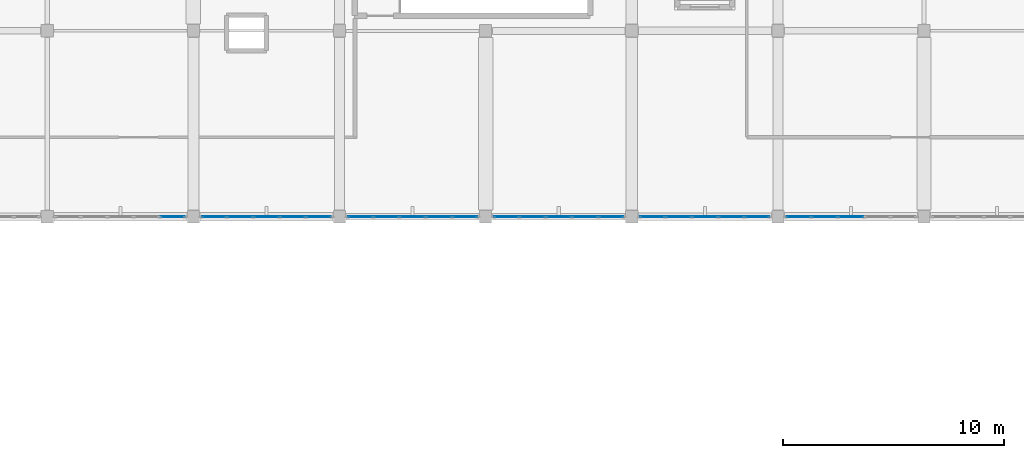
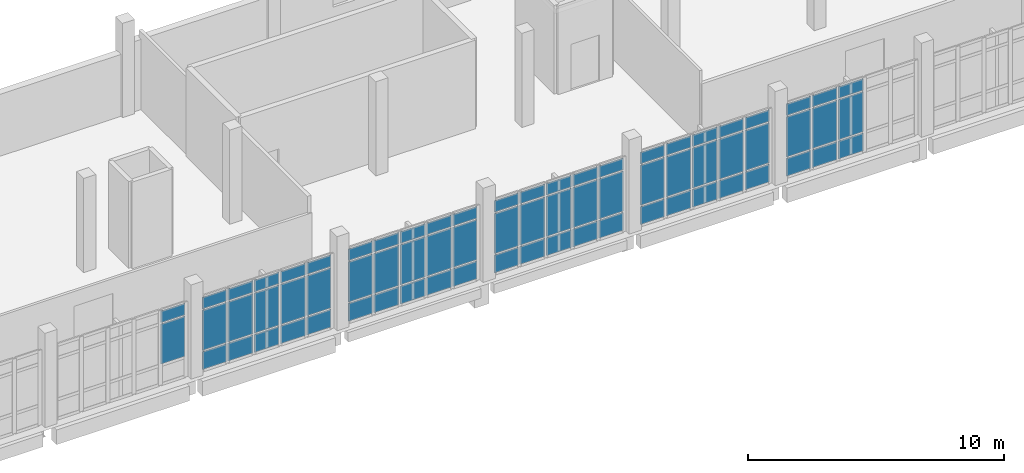
# One storey, part 108 of 134: 71 plates, 6 elements without a shape of their own.
"""IFC4 building model written with IfcOpenShell, lengths in metres."""

from ifc_helpers import new_model, si_unit, direction, frame, origin, origin_2d, place, context, subcontext, project, spatial, rectangle, extrude, material, layer, layer_set, type_object, element, aggregate, save


model = new_model("IFC4")

# Units and contexts
model_context = context("Model", 3, precision=1e-05, world=origin(), true_north=direction((0.0, 1.0)))
body_context = subcontext(model_context, "Body", "Model", "MODEL_VIEW")
ifc_project = project(units=[si_unit("LENGTHUNIT", "METRE"), si_unit("AREAUNIT", "SQUARE_METRE"), si_unit("VOLUMEUNIT", "CUBIC_METRE"), si_unit("PLANEANGLEUNIT", "RADIAN"), si_unit("MASSUNIT", "GRAM", prefix="KILO")], contexts=[model_context])

# Site, building, storey
site_placement = place(None, origin())
site = spatial("IfcSite", under=ifc_project, at=site_placement, CompositionType="ELEMENT")
building_placement = place(site_placement, origin())
building = spatial("IfcBuilding", under=site, at=building_placement, Name="Kalluvel Institute of Natural Sciences", CompositionType="ELEMENT")
storey_placement = place(building_placement, frame((0.0, 0.0, 5.39990234375)))
storey = spatial("IfcBuildingStorey", under=building, at=storey_placement, Name="L01", CompositionType="ELEMENT", Elevation=5.39990234375)

# Curtain wall, plates
ifc_material_1 = material(Name="Aluminium AW-6063 T6", Category="aluminium")
curtain_wall_type = type_object("IfcCurtainWallType", Name="CW-CLN-45", PredefinedType="USERDEFINED", material=ifc_material_1)
curtain_wall_1_placement = place(storey_placement, origin())
curtain_wall_1 = element("IfcCurtainWall", 1, at=curtain_wall_1_placement, inside=storey, type_object=curtain_wall_type, Name="L01 Gothic lancet curtain wall CWA-L01-X1361-Y1028", ObjectType="UNITISED LANCET FACADE", PredefinedType="USERDEFINED")
ifc_material_2 = material(Name="Solar-Control Low-E Laminated Glass", Category="glass")
ifc_layer = layer(ifc_material_2, 0.028076171875)
ifc_layer_set = layer_set([ifc_layer], Name="Solar-Control Low-E Laminated Glass")
plate_type = type_object("IfcPlateType", Name="CWP-DGU-28", PredefinedType="CURTAIN_PANEL", material=ifc_layer_set)
plate_1_placement = place(storey_placement, frame((141.4638671875, 102.800048828125, 0.982666015625), z_axis=(0.0, 0.0, 1.0), x_axis=(1.0, 0.0, 0.0)))
plate_1 = element("IfcPlate", 2, at=plate_1_placement, type_object=plate_type, Name="CW-08 panel 5.2", PredefinedType="CURTAIN_PANEL", context=body_context, shape_type="SweptSolid", body=[
    extrude(rectangle(XDim=1.092529296875, YDim=0.028076171875, at=origin_2d()), origin(), (0.0, 0.0, 1.0), 1.9150390625),
])
plate_2_placement = place(storey_placement, frame((141.4638671875, 102.800048828125, 2.96240234375), z_axis=(0.0, 0.0, 1.0), x_axis=(1.0, 0.0, 0.0)))
plate_2 = element("IfcPlate", 3, at=plate_2_placement, type_object=plate_type, Name="CW-08 panel 5.3", PredefinedType="CURTAIN_PANEL", context=body_context, shape_type="SweptSolid", body=[
    extrude(rectangle(XDim=1.092529296875, YDim=0.028076171875, at=origin_2d()), origin(), (0.0, 0.0, 1.0), 0.552490234375),
])
aggregate(curtain_wall_1, [plate_1, plate_2])

curtain_wall_2_placement = place(storey_placement, origin())
curtain_wall_2 = element("IfcCurtainWall", 4, at=curtain_wall_2_placement, inside=storey, type_object=curtain_wall_type, Name="L01 Gothic lancet curtain wall CWA-L01-X1427-Y1028", ObjectType="UNITISED LANCET FACADE", PredefinedType="USERDEFINED")
plate_3_placement = place(storey_placement, frame((143.336181640625, 102.800048828125, 0.065185546875), z_axis=(0.0, 0.0, 1.0), x_axis=(1.0, 0.0, 0.0)))
plate_3 = element("IfcPlate", 5, at=plate_3_placement, type_object=plate_type, Name="CW-08 panel 1.1", PredefinedType="CURTAIN_PANEL", context=body_context, shape_type="SweptSolid", body=[
    extrude(rectangle(XDim=1.092529296875, YDim=0.028076171875, at=origin_2d()), origin(), (0.0, 0.0, 1.0), 0.8525390625),
])
plate_4_placement = place(storey_placement, frame((143.336181640625, 102.800048828125, 0.982666015625), z_axis=(0.0, 0.0, 1.0), x_axis=(1.0, 0.0, 0.0)))
plate_4 = element("IfcPlate", 6, at=plate_4_placement, type_object=plate_type, Name="CW-08 panel 1.2", PredefinedType="CURTAIN_PANEL", context=body_context, shape_type="SweptSolid", body=[
    extrude(rectangle(XDim=1.092529296875, YDim=0.028076171875, at=origin_2d()), origin(), (0.0, 0.0, 1.0), 1.9150390625),
])
plate_5_placement = place(storey_placement, frame((143.336181640625, 102.800048828125, 2.96240234375), z_axis=(0.0, 0.0, 1.0), x_axis=(1.0, 0.0, 0.0)))
plate_5 = element("IfcPlate", 7, at=plate_5_placement, type_object=plate_type, Name="CW-08 panel 1.3", PredefinedType="CURTAIN_PANEL", context=body_context, shape_type="SweptSolid", body=[
    extrude(rectangle(XDim=1.092529296875, YDim=0.028076171875, at=origin_2d()), origin(), (0.0, 0.0, 1.0), 0.552490234375),
])
plate_6_placement = place(storey_placement, frame((144.510009765625, 102.800048828125, 0.065185546875), z_axis=(0.0, 0.0, 1.0), x_axis=(1.0, 0.0, 0.0)))
plate_6 = element("IfcPlate", 8, at=plate_6_placement, type_object=plate_type, Name="CW-08 panel 2.1", PredefinedType="CURTAIN_PANEL", context=body_context, shape_type="SweptSolid", body=[
    extrude(rectangle(XDim=1.125, YDim=0.028076171875, at=origin_2d()), origin(), (0.0, 0.0, 1.0), 0.8525390625),
])
plate_7_placement = place(storey_placement, frame((144.510009765625, 102.800048828125, 0.982666015625), z_axis=(0.0, 0.0, 1.0), x_axis=(1.0, 0.0, 0.0)))
plate_7 = element("IfcPlate", 9, at=plate_7_placement, type_object=plate_type, Name="CW-08 panel 2.2", PredefinedType="CURTAIN_PANEL", context=body_context, shape_type="SweptSolid", body=[
    extrude(rectangle(XDim=1.125, YDim=0.028076171875, at=origin_2d()), origin(), (0.0, 0.0, 1.0), 1.9150390625),
])
plate_8_placement = place(storey_placement, frame((144.510009765625, 102.800048828125, 2.96240234375), z_axis=(0.0, 0.0, 1.0), x_axis=(1.0, 0.0, 0.0)))
plate_8 = element("IfcPlate", 10, at=plate_8_placement, type_object=plate_type, Name="CW-08 panel 2.3", PredefinedType="CURTAIN_PANEL", context=body_context, shape_type="SweptSolid", body=[
    extrude(rectangle(XDim=1.125, YDim=0.028076171875, at=origin_2d()), origin(), (0.0, 0.0, 1.0), 0.552490234375),
])
plate_9_placement = place(storey_placement, frame((145.699951171875, 102.800048828125, 0.065185546875), z_axis=(0.0, 0.0, 1.0), x_axis=(1.0, 0.0, 0.0)))
plate_9 = element("IfcPlate", 11, at=plate_9_placement, type_object=plate_type, Name="CW-08 panel 3.1", PredefinedType="CURTAIN_PANEL", context=body_context, shape_type="SweptSolid", body=[
    extrude(rectangle(XDim=1.125, YDim=0.028076171875, at=origin_2d()), origin(), (0.0, 0.0, 1.0), 0.8525390625),
])
plate_10_placement = place(storey_placement, frame((145.699951171875, 102.800048828125, 0.982666015625), z_axis=(0.0, 0.0, 1.0), x_axis=(1.0, 0.0, 0.0)))
plate_10 = element("IfcPlate", 12, at=plate_10_placement, type_object=plate_type, Name="CW-08 panel 3.2", PredefinedType="CURTAIN_PANEL", context=body_context, shape_type="SweptSolid", body=[
    extrude(rectangle(XDim=1.125, YDim=0.028076171875, at=origin_2d()), origin(), (0.0, 0.0, 1.0), 1.9150390625),
])
plate_11_placement = place(storey_placement, frame((145.699951171875, 102.800048828125, 2.96240234375), z_axis=(0.0, 0.0, 1.0), x_axis=(1.0, 0.0, 0.0)))
plate_11 = element("IfcPlate", 13, at=plate_11_placement, type_object=plate_type, Name="CW-08 panel 3.3", PredefinedType="CURTAIN_PANEL", context=body_context, shape_type="SweptSolid", body=[
    extrude(rectangle(XDim=1.125, YDim=0.028076171875, at=origin_2d()), origin(), (0.0, 0.0, 1.0), 0.552490234375),
])
plate_12_placement = place(storey_placement, frame((146.889892578125, 102.800048828125, 0.065185546875), z_axis=(0.0, 0.0, 1.0), x_axis=(1.0, 0.0, 0.0)))
plate_12 = element("IfcPlate", 14, at=plate_12_placement, type_object=plate_type, Name="CW-08 panel 4.1", PredefinedType="CURTAIN_PANEL", context=body_context, shape_type="SweptSolid", body=[
    extrude(rectangle(XDim=1.125, YDim=0.028076171875, at=origin_2d()), origin(), (0.0, 0.0, 1.0), 0.8525390625),
])
plate_13_placement = place(storey_placement, frame((146.889892578125, 102.800048828125, 0.982666015625), z_axis=(0.0, 0.0, 1.0), x_axis=(1.0, 0.0, 0.0)))
plate_13 = element("IfcPlate", 15, at=plate_13_placement, type_object=plate_type, Name="CW-08 panel 4.2", PredefinedType="CURTAIN_PANEL", context=body_context, shape_type="SweptSolid", body=[
    extrude(rectangle(XDim=1.125, YDim=0.028076171875, at=origin_2d()), origin(), (0.0, 0.0, 1.0), 1.9150390625),
])
plate_14_placement = place(storey_placement, frame((146.889892578125, 102.800048828125, 2.96240234375), z_axis=(0.0, 0.0, 1.0), x_axis=(1.0, 0.0, 0.0)))
plate_14 = element("IfcPlate", 16, at=plate_14_placement, type_object=plate_type, Name="CW-08 panel 4.3", PredefinedType="CURTAIN_PANEL", context=body_context, shape_type="SweptSolid", body=[
    extrude(rectangle(XDim=1.125, YDim=0.028076171875, at=origin_2d()), origin(), (0.0, 0.0, 1.0), 0.552490234375),
])
plate_15_placement = place(storey_placement, frame((148.063720703125, 102.800048828125, 0.065185546875), z_axis=(0.0, 0.0, 1.0), x_axis=(1.0, 0.0, 0.0)))
plate_15 = element("IfcPlate", 17, at=plate_15_placement, type_object=plate_type, Name="CW-08 panel 5.1", PredefinedType="CURTAIN_PANEL", context=body_context, shape_type="SweptSolid", body=[
    extrude(rectangle(XDim=1.092529296875, YDim=0.028076171875, at=origin_2d()), origin(), (0.0, 0.0, 1.0), 0.8525390625),
])
plate_16_placement = place(storey_placement, frame((148.063720703125, 102.800048828125, 0.982666015625), z_axis=(0.0, 0.0, 1.0), x_axis=(1.0, 0.0, 0.0)))
plate_16 = element("IfcPlate", 18, at=plate_16_placement, type_object=plate_type, Name="CW-08 panel 5.2", PredefinedType="CURTAIN_PANEL", context=body_context, shape_type="SweptSolid", body=[
    extrude(rectangle(XDim=1.092529296875, YDim=0.028076171875, at=origin_2d()), origin(), (0.0, 0.0, 1.0), 1.9150390625),
])
plate_17_placement = place(storey_placement, frame((148.063720703125, 102.800048828125, 2.96240234375), z_axis=(0.0, 0.0, 1.0), x_axis=(1.0, 0.0, 0.0)))
plate_17 = element("IfcPlate", 19, at=plate_17_placement, type_object=plate_type, Name="CW-08 panel 5.3", PredefinedType="CURTAIN_PANEL", context=body_context, shape_type="SweptSolid", body=[
    extrude(rectangle(XDim=1.092529296875, YDim=0.028076171875, at=origin_2d()), origin(), (0.0, 0.0, 1.0), 0.552490234375),
])
aggregate(curtain_wall_2, [plate_3, plate_4, plate_5, plate_6, plate_7, plate_8, plate_9, plate_10, plate_11, plate_12, plate_13, plate_14, plate_15, plate_16, plate_17])

curtain_wall_3_placement = place(storey_placement, origin())
curtain_wall_3 = element("IfcCurtainWall", 20, at=curtain_wall_3_placement, inside=storey, type_object=curtain_wall_type, Name="L01 Gothic lancet curtain wall CWA-L01-X1493-Y1028", ObjectType="UNITISED LANCET FACADE", PredefinedType="USERDEFINED")
plate_18_placement = place(storey_placement, frame((149.936279296875, 102.800048828125, 0.065185546875), z_axis=(0.0, 0.0, 1.0), x_axis=(1.0, 0.0, 0.0)))
plate_18 = element("IfcPlate", 21, at=plate_18_placement, type_object=plate_type, Name="CW-08 panel 1.1", PredefinedType="CURTAIN_PANEL", context=body_context, shape_type="SweptSolid", body=[
    extrude(rectangle(XDim=1.092529296875, YDim=0.028076171875, at=origin_2d()), origin(), (0.0, 0.0, 1.0), 0.8525390625),
])
plate_19_placement = place(storey_placement, frame((149.936279296875, 102.800048828125, 0.982666015625), z_axis=(0.0, 0.0, 1.0), x_axis=(1.0, 0.0, 0.0)))
plate_19 = element("IfcPlate", 22, at=plate_19_placement, type_object=plate_type, Name="CW-08 panel 1.2", PredefinedType="CURTAIN_PANEL", context=body_context, shape_type="SweptSolid", body=[
    extrude(rectangle(XDim=1.092529296875, YDim=0.028076171875, at=origin_2d()), origin(), (0.0, 0.0, 1.0), 1.9150390625),
])
plate_20_placement = place(storey_placement, frame((149.936279296875, 102.800048828125, 2.96240234375), z_axis=(0.0, 0.0, 1.0), x_axis=(1.0, 0.0, 0.0)))
plate_20 = element("IfcPlate", 23, at=plate_20_placement, type_object=plate_type, Name="CW-08 panel 1.3", PredefinedType="CURTAIN_PANEL", context=body_context, shape_type="SweptSolid", body=[
    extrude(rectangle(XDim=1.092529296875, YDim=0.028076171875, at=origin_2d()), origin(), (0.0, 0.0, 1.0), 0.552490234375),
])
plate_21_placement = place(storey_placement, frame((151.110107421875, 102.800048828125, 0.065185546875), z_axis=(0.0, 0.0, 1.0), x_axis=(1.0, 0.0, 0.0)))
plate_21 = element("IfcPlate", 24, at=plate_21_placement, type_object=plate_type, Name="CW-08 panel 2.1", PredefinedType="CURTAIN_PANEL", context=body_context, shape_type="SweptSolid", body=[
    extrude(rectangle(XDim=1.125, YDim=0.028076171875, at=origin_2d()), origin(), (0.0, 0.0, 1.0), 0.8525390625),
])
plate_22_placement = place(storey_placement, frame((151.110107421875, 102.800048828125, 0.982666015625), z_axis=(0.0, 0.0, 1.0), x_axis=(1.0, 0.0, 0.0)))
plate_22 = element("IfcPlate", 25, at=plate_22_placement, type_object=plate_type, Name="CW-08 panel 2.2", PredefinedType="CURTAIN_PANEL", context=body_context, shape_type="SweptSolid", body=[
    extrude(rectangle(XDim=1.125, YDim=0.028076171875, at=origin_2d()), origin(), (0.0, 0.0, 1.0), 1.9150390625),
])
plate_23_placement = place(storey_placement, frame((151.110107421875, 102.800048828125, 2.96240234375), z_axis=(0.0, 0.0, 1.0), x_axis=(1.0, 0.0, 0.0)))
plate_23 = element("IfcPlate", 26, at=plate_23_placement, type_object=plate_type, Name="CW-08 panel 2.3", PredefinedType="CURTAIN_PANEL", context=body_context, shape_type="SweptSolid", body=[
    extrude(rectangle(XDim=1.125, YDim=0.028076171875, at=origin_2d()), origin(), (0.0, 0.0, 1.0), 0.552490234375),
])
plate_24_placement = place(storey_placement, frame((152.300048828125, 102.800048828125, 0.065185546875), z_axis=(0.0, 0.0, 1.0), x_axis=(1.0, 0.0, 0.0)))
plate_24 = element("IfcPlate", 27, at=plate_24_placement, type_object=plate_type, Name="CW-08 panel 3.1", PredefinedType="CURTAIN_PANEL", context=body_context, shape_type="SweptSolid", body=[
    extrude(rectangle(XDim=1.125, YDim=0.028076171875, at=origin_2d()), origin(), (0.0, 0.0, 1.0), 0.8525390625),
])
plate_25_placement = place(storey_placement, frame((152.300048828125, 102.800048828125, 0.982666015625), z_axis=(0.0, 0.0, 1.0), x_axis=(1.0, 0.0, 0.0)))
plate_25 = element("IfcPlate", 28, at=plate_25_placement, type_object=plate_type, Name="CW-08 panel 3.2", PredefinedType="CURTAIN_PANEL", context=body_context, shape_type="SweptSolid", body=[
    extrude(rectangle(XDim=1.125, YDim=0.028076171875, at=origin_2d()), origin(), (0.0, 0.0, 1.0), 1.9150390625),
])
plate_26_placement = place(storey_placement, frame((152.300048828125, 102.800048828125, 2.96240234375), z_axis=(0.0, 0.0, 1.0), x_axis=(1.0, 0.0, 0.0)))
plate_26 = element("IfcPlate", 29, at=plate_26_placement, type_object=plate_type, Name="CW-08 panel 3.3", PredefinedType="CURTAIN_PANEL", context=body_context, shape_type="SweptSolid", body=[
    extrude(rectangle(XDim=1.125, YDim=0.028076171875, at=origin_2d()), origin(), (0.0, 0.0, 1.0), 0.552490234375),
])
plate_27_placement = place(storey_placement, frame((153.489990234375, 102.800048828125, 0.065185546875), z_axis=(0.0, 0.0, 1.0), x_axis=(1.0, 0.0, 0.0)))
plate_27 = element("IfcPlate", 30, at=plate_27_placement, type_object=plate_type, Name="CW-08 panel 4.1", PredefinedType="CURTAIN_PANEL", context=body_context, shape_type="SweptSolid", body=[
    extrude(rectangle(XDim=1.125, YDim=0.028076171875, at=origin_2d()), origin(), (0.0, 0.0, 1.0), 0.8525390625),
])
plate_28_placement = place(storey_placement, frame((153.489990234375, 102.800048828125, 0.982666015625), z_axis=(0.0, 0.0, 1.0), x_axis=(1.0, 0.0, 0.0)))
plate_28 = element("IfcPlate", 31, at=plate_28_placement, type_object=plate_type, Name="CW-08 panel 4.2", PredefinedType="CURTAIN_PANEL", context=body_context, shape_type="SweptSolid", body=[
    extrude(rectangle(XDim=1.125, YDim=0.028076171875, at=origin_2d()), origin(), (0.0, 0.0, 1.0), 1.9150390625),
])
plate_29_placement = place(storey_placement, frame((153.489990234375, 102.800048828125, 2.96240234375), z_axis=(0.0, 0.0, 1.0), x_axis=(1.0, 0.0, 0.0)))
plate_29 = element("IfcPlate", 32, at=plate_29_placement, type_object=plate_type, Name="CW-08 panel 4.3", PredefinedType="CURTAIN_PANEL", context=body_context, shape_type="SweptSolid", body=[
    extrude(rectangle(XDim=1.125, YDim=0.028076171875, at=origin_2d()), origin(), (0.0, 0.0, 1.0), 0.552490234375),
])
plate_30_placement = place(storey_placement, frame((154.663818359375, 102.800048828125, 0.065185546875), z_axis=(0.0, 0.0, 1.0), x_axis=(1.0, 0.0, 0.0)))
plate_30 = element("IfcPlate", 33, at=plate_30_placement, type_object=plate_type, Name="CW-08 panel 5.1", PredefinedType="CURTAIN_PANEL", context=body_context, shape_type="SweptSolid", body=[
    extrude(rectangle(XDim=1.092529296875, YDim=0.028076171875, at=origin_2d()), origin(), (0.0, 0.0, 1.0), 0.8525390625),
])
plate_31_placement = place(storey_placement, frame((154.663818359375, 102.800048828125, 0.982666015625), z_axis=(0.0, 0.0, 1.0), x_axis=(1.0, 0.0, 0.0)))
plate_31 = element("IfcPlate", 34, at=plate_31_placement, type_object=plate_type, Name="CW-08 panel 5.2", PredefinedType="CURTAIN_PANEL", context=body_context, shape_type="SweptSolid", body=[
    extrude(rectangle(XDim=1.092529296875, YDim=0.028076171875, at=origin_2d()), origin(), (0.0, 0.0, 1.0), 1.9150390625),
])
plate_32_placement = place(storey_placement, frame((154.663818359375, 102.800048828125, 2.96240234375), z_axis=(0.0, 0.0, 1.0), x_axis=(1.0, 0.0, 0.0)))
plate_32 = element("IfcPlate", 35, at=plate_32_placement, type_object=plate_type, Name="CW-08 panel 5.3", PredefinedType="CURTAIN_PANEL", context=body_context, shape_type="SweptSolid", body=[
    extrude(rectangle(XDim=1.092529296875, YDim=0.028076171875, at=origin_2d()), origin(), (0.0, 0.0, 1.0), 0.552490234375),
])
aggregate(curtain_wall_3, [plate_18, plate_19, plate_20, plate_21, plate_22, plate_23, plate_24, plate_25, plate_26, plate_27, plate_28, plate_29, plate_30, plate_31, plate_32])

curtain_wall_4_placement = place(storey_placement, origin())
curtain_wall_4 = element("IfcCurtainWall", 36, at=curtain_wall_4_placement, inside=storey, type_object=curtain_wall_type, Name="L01 Gothic lancet curtain wall CWA-L01-X1559-Y1028", ObjectType="UNITISED LANCET FACADE", PredefinedType="USERDEFINED")
plate_33_placement = place(storey_placement, frame((156.5361328125, 102.800048828125, 0.065185546875), z_axis=(0.0, 0.0, 1.0), x_axis=(1.0, 0.0, 0.0)))
plate_33 = element("IfcPlate", 37, at=plate_33_placement, type_object=plate_type, Name="CW-08 panel 1.1", PredefinedType="CURTAIN_PANEL", context=body_context, shape_type="SweptSolid", body=[
    extrude(rectangle(XDim=1.092529296875, YDim=0.028076171875, at=origin_2d()), origin(), (0.0, 0.0, 1.0), 0.8525390625),
])
plate_34_placement = place(storey_placement, frame((156.5361328125, 102.800048828125, 0.982666015625), z_axis=(0.0, 0.0, 1.0), x_axis=(1.0, 0.0, 0.0)))
plate_34 = element("IfcPlate", 38, at=plate_34_placement, type_object=plate_type, Name="CW-08 panel 1.2", PredefinedType="CURTAIN_PANEL", context=body_context, shape_type="SweptSolid", body=[
    extrude(rectangle(XDim=1.092529296875, YDim=0.028076171875, at=origin_2d()), origin(), (0.0, 0.0, 1.0), 1.9150390625),
])
plate_35_placement = place(storey_placement, frame((156.5361328125, 102.800048828125, 2.96240234375), z_axis=(0.0, 0.0, 1.0), x_axis=(1.0, 0.0, 0.0)))
plate_35 = element("IfcPlate", 39, at=plate_35_placement, type_object=plate_type, Name="CW-08 panel 1.3", PredefinedType="CURTAIN_PANEL", context=body_context, shape_type="SweptSolid", body=[
    extrude(rectangle(XDim=1.092529296875, YDim=0.028076171875, at=origin_2d()), origin(), (0.0, 0.0, 1.0), 0.552490234375),
])
plate_36_placement = place(storey_placement, frame((157.7099609375, 102.800048828125, 0.065185546875), z_axis=(0.0, 0.0, 1.0), x_axis=(1.0, 0.0, 0.0)))
plate_36 = element("IfcPlate", 40, at=plate_36_placement, type_object=plate_type, Name="CW-08 panel 2.1", PredefinedType="CURTAIN_PANEL", context=body_context, shape_type="SweptSolid", body=[
    extrude(rectangle(XDim=1.125, YDim=0.028076171875, at=origin_2d()), origin(), (0.0, 0.0, 1.0), 0.8525390625),
])
plate_37_placement = place(storey_placement, frame((157.7099609375, 102.800048828125, 0.982666015625), z_axis=(0.0, 0.0, 1.0), x_axis=(1.0, 0.0, 0.0)))
plate_37 = element("IfcPlate", 41, at=plate_37_placement, type_object=plate_type, Name="CW-08 panel 2.2", PredefinedType="CURTAIN_PANEL", context=body_context, shape_type="SweptSolid", body=[
    extrude(rectangle(XDim=1.125, YDim=0.028076171875, at=origin_2d()), origin(), (0.0, 0.0, 1.0), 1.9150390625),
])
plate_38_placement = place(storey_placement, frame((157.7099609375, 102.800048828125, 2.96240234375), z_axis=(0.0, 0.0, 1.0), x_axis=(1.0, 0.0, 0.0)))
plate_38 = element("IfcPlate", 42, at=plate_38_placement, type_object=plate_type, Name="CW-08 panel 2.3", PredefinedType="CURTAIN_PANEL", context=body_context, shape_type="SweptSolid", body=[
    extrude(rectangle(XDim=1.125, YDim=0.028076171875, at=origin_2d()), origin(), (0.0, 0.0, 1.0), 0.552490234375),
])
plate_39_placement = place(storey_placement, frame((158.89990234375, 102.800048828125, 0.065185546875), z_axis=(0.0, 0.0, 1.0), x_axis=(1.0, 0.0, 0.0)))
plate_39 = element("IfcPlate", 43, at=plate_39_placement, type_object=plate_type, Name="CW-08 panel 3.1", PredefinedType="CURTAIN_PANEL", context=body_context, shape_type="SweptSolid", body=[
    extrude(rectangle(XDim=1.125, YDim=0.028076171875, at=origin_2d()), origin(), (0.0, 0.0, 1.0), 0.8525390625),
])
plate_40_placement = place(storey_placement, frame((158.89990234375, 102.800048828125, 0.982666015625), z_axis=(0.0, 0.0, 1.0), x_axis=(1.0, 0.0, 0.0)))
plate_40 = element("IfcPlate", 44, at=plate_40_placement, type_object=plate_type, Name="CW-08 panel 3.2", PredefinedType="CURTAIN_PANEL", context=body_context, shape_type="SweptSolid", body=[
    extrude(rectangle(XDim=1.125, YDim=0.028076171875, at=origin_2d()), origin(), (0.0, 0.0, 1.0), 1.9150390625),
])
plate_41_placement = place(storey_placement, frame((158.89990234375, 102.800048828125, 2.96240234375), z_axis=(0.0, 0.0, 1.0), x_axis=(1.0, 0.0, 0.0)))
plate_41 = element("IfcPlate", 45, at=plate_41_placement, type_object=plate_type, Name="CW-08 panel 3.3", PredefinedType="CURTAIN_PANEL", context=body_context, shape_type="SweptSolid", body=[
    extrude(rectangle(XDim=1.125, YDim=0.028076171875, at=origin_2d()), origin(), (0.0, 0.0, 1.0), 0.552490234375),
])
plate_42_placement = place(storey_placement, frame((160.090087890625, 102.800048828125, 0.065185546875), z_axis=(0.0, 0.0, 1.0), x_axis=(1.0, 0.0, 0.0)))
plate_42 = element("IfcPlate", 46, at=plate_42_placement, type_object=plate_type, Name="CW-08 panel 4.1", PredefinedType="CURTAIN_PANEL", context=body_context, shape_type="SweptSolid", body=[
    extrude(rectangle(XDim=1.125, YDim=0.028076171875, at=origin_2d()), origin(), (0.0, 0.0, 1.0), 0.8525390625),
])
plate_43_placement = place(storey_placement, frame((160.090087890625, 102.800048828125, 0.982666015625), z_axis=(0.0, 0.0, 1.0), x_axis=(1.0, 0.0, 0.0)))
plate_43 = element("IfcPlate", 47, at=plate_43_placement, type_object=plate_type, Name="CW-08 panel 4.2", PredefinedType="CURTAIN_PANEL", context=body_context, shape_type="SweptSolid", body=[
    extrude(rectangle(XDim=1.125, YDim=0.028076171875, at=origin_2d()), origin(), (0.0, 0.0, 1.0), 1.9150390625),
])
plate_44_placement = place(storey_placement, frame((160.090087890625, 102.800048828125, 2.96240234375), z_axis=(0.0, 0.0, 1.0), x_axis=(1.0, 0.0, 0.0)))
plate_44 = element("IfcPlate", 48, at=plate_44_placement, type_object=plate_type, Name="CW-08 panel 4.3", PredefinedType="CURTAIN_PANEL", context=body_context, shape_type="SweptSolid", body=[
    extrude(rectangle(XDim=1.125, YDim=0.028076171875, at=origin_2d()), origin(), (0.0, 0.0, 1.0), 0.552490234375),
])
plate_45_placement = place(storey_placement, frame((161.263671875, 102.800048828125, 0.065185546875), z_axis=(0.0, 0.0, 1.0), x_axis=(1.0, 0.0, 0.0)))
plate_45 = element("IfcPlate", 49, at=plate_45_placement, type_object=plate_type, Name="CW-08 panel 5.1", PredefinedType="CURTAIN_PANEL", context=body_context, shape_type="SweptSolid", body=[
    extrude(rectangle(XDim=1.092529296875, YDim=0.028076171875, at=origin_2d()), origin(), (0.0, 0.0, 1.0), 0.8525390625),
])
plate_46_placement = place(storey_placement, frame((161.263671875, 102.800048828125, 0.982666015625), z_axis=(0.0, 0.0, 1.0), x_axis=(1.0, 0.0, 0.0)))
plate_46 = element("IfcPlate", 50, at=plate_46_placement, type_object=plate_type, Name="CW-08 panel 5.2", PredefinedType="CURTAIN_PANEL", context=body_context, shape_type="SweptSolid", body=[
    extrude(rectangle(XDim=1.092529296875, YDim=0.028076171875, at=origin_2d()), origin(), (0.0, 0.0, 1.0), 1.9150390625),
])
plate_47_placement = place(storey_placement, frame((161.263671875, 102.800048828125, 2.96240234375), z_axis=(0.0, 0.0, 1.0), x_axis=(1.0, 0.0, 0.0)))
plate_47 = element("IfcPlate", 51, at=plate_47_placement, type_object=plate_type, Name="CW-08 panel 5.3", PredefinedType="CURTAIN_PANEL", context=body_context, shape_type="SweptSolid", body=[
    extrude(rectangle(XDim=1.092529296875, YDim=0.028076171875, at=origin_2d()), origin(), (0.0, 0.0, 1.0), 0.552490234375),
])
aggregate(curtain_wall_4, [plate_33, plate_34, plate_35, plate_36, plate_37, plate_38, plate_39, plate_40, plate_41, plate_42, plate_43, plate_44, plate_45, plate_46, plate_47])

curtain_wall_5_placement = place(storey_placement, origin())
curtain_wall_5 = element("IfcCurtainWall", 52, at=curtain_wall_5_placement, inside=storey, type_object=curtain_wall_type, Name="L01 Gothic lancet curtain wall CWA-L01-X1625-Y1028", ObjectType="UNITISED LANCET FACADE", PredefinedType="USERDEFINED")
plate_48_placement = place(storey_placement, frame((163.13623046875, 102.800048828125, 0.065185546875), z_axis=(0.0, 0.0, 1.0), x_axis=(1.0, 0.0, 0.0)))
plate_48 = element("IfcPlate", 53, at=plate_48_placement, type_object=plate_type, Name="CW-08 panel 1.1", PredefinedType="CURTAIN_PANEL", context=body_context, shape_type="SweptSolid", body=[
    extrude(rectangle(XDim=1.092529296875, YDim=0.028076171875, at=origin_2d()), origin(), (0.0, 0.0, 1.0), 0.8525390625),
])
plate_49_placement = place(storey_placement, frame((163.13623046875, 102.800048828125, 0.982666015625), z_axis=(0.0, 0.0, 1.0), x_axis=(1.0, 0.0, 0.0)))
plate_49 = element("IfcPlate", 54, at=plate_49_placement, type_object=plate_type, Name="CW-08 panel 1.2", PredefinedType="CURTAIN_PANEL", context=body_context, shape_type="SweptSolid", body=[
    extrude(rectangle(XDim=1.092529296875, YDim=0.028076171875, at=origin_2d()), origin(), (0.0, 0.0, 1.0), 1.9150390625),
])
plate_50_placement = place(storey_placement, frame((163.13623046875, 102.800048828125, 2.96240234375), z_axis=(0.0, 0.0, 1.0), x_axis=(1.0, 0.0, 0.0)))
plate_50 = element("IfcPlate", 55, at=plate_50_placement, type_object=plate_type, Name="CW-08 panel 1.3", PredefinedType="CURTAIN_PANEL", context=body_context, shape_type="SweptSolid", body=[
    extrude(rectangle(XDim=1.092529296875, YDim=0.028076171875, at=origin_2d()), origin(), (0.0, 0.0, 1.0), 0.552490234375),
])
plate_51_placement = place(storey_placement, frame((164.31005859375, 102.800048828125, 0.065185546875), z_axis=(0.0, 0.0, 1.0), x_axis=(1.0, 0.0, 0.0)))
plate_51 = element("IfcPlate", 56, at=plate_51_placement, type_object=plate_type, Name="CW-08 panel 2.1", PredefinedType="CURTAIN_PANEL", context=body_context, shape_type="SweptSolid", body=[
    extrude(rectangle(XDim=1.125, YDim=0.028076171875, at=origin_2d()), origin(), (0.0, 0.0, 1.0), 0.8525390625),
])
plate_52_placement = place(storey_placement, frame((164.31005859375, 102.800048828125, 0.982666015625), z_axis=(0.0, 0.0, 1.0), x_axis=(1.0, 0.0, 0.0)))
plate_52 = element("IfcPlate", 57, at=plate_52_placement, type_object=plate_type, Name="CW-08 panel 2.2", PredefinedType="CURTAIN_PANEL", context=body_context, shape_type="SweptSolid", body=[
    extrude(rectangle(XDim=1.125, YDim=0.028076171875, at=origin_2d()), origin(), (0.0, 0.0, 1.0), 1.9150390625),
])
plate_53_placement = place(storey_placement, frame((164.31005859375, 102.800048828125, 2.96240234375), z_axis=(0.0, 0.0, 1.0), x_axis=(1.0, 0.0, 0.0)))
plate_53 = element("IfcPlate", 58, at=plate_53_placement, type_object=plate_type, Name="CW-08 panel 2.3", PredefinedType="CURTAIN_PANEL", context=body_context, shape_type="SweptSolid", body=[
    extrude(rectangle(XDim=1.125, YDim=0.028076171875, at=origin_2d()), origin(), (0.0, 0.0, 1.0), 0.552490234375),
])
plate_54_placement = place(storey_placement, frame((165.5, 102.800048828125, 0.065185546875), z_axis=(0.0, 0.0, 1.0), x_axis=(1.0, 0.0, 0.0)))
plate_54 = element("IfcPlate", 59, at=plate_54_placement, type_object=plate_type, Name="CW-08 panel 3.1", PredefinedType="CURTAIN_PANEL", context=body_context, shape_type="SweptSolid", body=[
    extrude(rectangle(XDim=1.125, YDim=0.028076171875, at=origin_2d()), origin(), (0.0, 0.0, 1.0), 0.8525390625),
])
plate_55_placement = place(storey_placement, frame((165.5, 102.800048828125, 0.982666015625), z_axis=(0.0, 0.0, 1.0), x_axis=(1.0, 0.0, 0.0)))
plate_55 = element("IfcPlate", 60, at=plate_55_placement, type_object=plate_type, Name="CW-08 panel 3.2", PredefinedType="CURTAIN_PANEL", context=body_context, shape_type="SweptSolid", body=[
    extrude(rectangle(XDim=1.125, YDim=0.028076171875, at=origin_2d()), origin(), (0.0, 0.0, 1.0), 1.9150390625),
])
plate_56_placement = place(storey_placement, frame((165.5, 102.800048828125, 2.96240234375), z_axis=(0.0, 0.0, 1.0), x_axis=(1.0, 0.0, 0.0)))
plate_56 = element("IfcPlate", 61, at=plate_56_placement, type_object=plate_type, Name="CW-08 panel 3.3", PredefinedType="CURTAIN_PANEL", context=body_context, shape_type="SweptSolid", body=[
    extrude(rectangle(XDim=1.125, YDim=0.028076171875, at=origin_2d()), origin(), (0.0, 0.0, 1.0), 0.552490234375),
])
plate_57_placement = place(storey_placement, frame((166.68994140625, 102.800048828125, 0.065185546875), z_axis=(0.0, 0.0, 1.0), x_axis=(1.0, 0.0, 0.0)))
plate_57 = element("IfcPlate", 62, at=plate_57_placement, type_object=plate_type, Name="CW-08 panel 4.1", PredefinedType="CURTAIN_PANEL", context=body_context, shape_type="SweptSolid", body=[
    extrude(rectangle(XDim=1.125, YDim=0.028076171875, at=origin_2d()), origin(), (0.0, 0.0, 1.0), 0.8525390625),
])
plate_58_placement = place(storey_placement, frame((166.68994140625, 102.800048828125, 0.982666015625), z_axis=(0.0, 0.0, 1.0), x_axis=(1.0, 0.0, 0.0)))
plate_58 = element("IfcPlate", 63, at=plate_58_placement, type_object=plate_type, Name="CW-08 panel 4.2", PredefinedType="CURTAIN_PANEL", context=body_context, shape_type="SweptSolid", body=[
    extrude(rectangle(XDim=1.125, YDim=0.028076171875, at=origin_2d()), origin(), (0.0, 0.0, 1.0), 1.9150390625),
])
plate_59_placement = place(storey_placement, frame((166.68994140625, 102.800048828125, 2.96240234375), z_axis=(0.0, 0.0, 1.0), x_axis=(1.0, 0.0, 0.0)))
plate_59 = element("IfcPlate", 64, at=plate_59_placement, type_object=plate_type, Name="CW-08 panel 4.3", PredefinedType="CURTAIN_PANEL", context=body_context, shape_type="SweptSolid", body=[
    extrude(rectangle(XDim=1.125, YDim=0.028076171875, at=origin_2d()), origin(), (0.0, 0.0, 1.0), 0.552490234375),
])
plate_60_placement = place(storey_placement, frame((167.86376953125, 102.800048828125, 0.065185546875), z_axis=(0.0, 0.0, 1.0), x_axis=(1.0, 0.0, 0.0)))
plate_60 = element("IfcPlate", 65, at=plate_60_placement, type_object=plate_type, Name="CW-08 panel 5.1", PredefinedType="CURTAIN_PANEL", context=body_context, shape_type="SweptSolid", body=[
    extrude(rectangle(XDim=1.092529296875, YDim=0.028076171875, at=origin_2d()), origin(), (0.0, 0.0, 1.0), 0.8525390625),
])
plate_61_placement = place(storey_placement, frame((167.86376953125, 102.800048828125, 0.982666015625), z_axis=(0.0, 0.0, 1.0), x_axis=(1.0, 0.0, 0.0)))
plate_61 = element("IfcPlate", 66, at=plate_61_placement, type_object=plate_type, Name="CW-08 panel 5.2", PredefinedType="CURTAIN_PANEL", context=body_context, shape_type="SweptSolid", body=[
    extrude(rectangle(XDim=1.092529296875, YDim=0.028076171875, at=origin_2d()), origin(), (0.0, 0.0, 1.0), 1.9150390625),
])
plate_62_placement = place(storey_placement, frame((167.86376953125, 102.800048828125, 2.96240234375), z_axis=(0.0, 0.0, 1.0), x_axis=(1.0, 0.0, 0.0)))
plate_62 = element("IfcPlate", 67, at=plate_62_placement, type_object=plate_type, Name="CW-08 panel 5.3", PredefinedType="CURTAIN_PANEL", context=body_context, shape_type="SweptSolid", body=[
    extrude(rectangle(XDim=1.092529296875, YDim=0.028076171875, at=origin_2d()), origin(), (0.0, 0.0, 1.0), 0.552490234375),
])
aggregate(curtain_wall_5, [plate_48, plate_49, plate_50, plate_51, plate_52, plate_53, plate_54, plate_55, plate_56, plate_57, plate_58, plate_59, plate_60, plate_61, plate_62])

curtain_wall_6_placement = place(storey_placement, origin())
curtain_wall_6 = element("IfcCurtainWall", 68, at=curtain_wall_6_placement, inside=storey, type_object=curtain_wall_type, Name="L01 Gothic lancet curtain wall CWA-L01-X1691-Y1028", ObjectType="UNITISED LANCET FACADE", PredefinedType="USERDEFINED")
plate_63_placement = place(storey_placement, frame((169.736328125, 102.800048828125, 0.065185546875), z_axis=(0.0, 0.0, 1.0), x_axis=(1.0, 0.0, 0.0)))
plate_63 = element("IfcPlate", 69, at=plate_63_placement, type_object=plate_type, Name="CW-08 panel 1.1", PredefinedType="CURTAIN_PANEL", context=body_context, shape_type="SweptSolid", body=[
    extrude(rectangle(XDim=1.092529296875, YDim=0.028076171875, at=origin_2d()), origin(), (0.0, 0.0, 1.0), 0.8525390625),
])
plate_64_placement = place(storey_placement, frame((169.736328125, 102.800048828125, 0.982666015625), z_axis=(0.0, 0.0, 1.0), x_axis=(1.0, 0.0, 0.0)))
plate_64 = element("IfcPlate", 70, at=plate_64_placement, type_object=plate_type, Name="CW-08 panel 1.2", PredefinedType="CURTAIN_PANEL", context=body_context, shape_type="SweptSolid", body=[
    extrude(rectangle(XDim=1.092529296875, YDim=0.028076171875, at=origin_2d()), origin(), (0.0, 0.0, 1.0), 1.9150390625),
])
plate_65_placement = place(storey_placement, frame((169.736328125, 102.800048828125, 2.96240234375), z_axis=(0.0, 0.0, 1.0), x_axis=(1.0, 0.0, 0.0)))
plate_65 = element("IfcPlate", 71, at=plate_65_placement, type_object=plate_type, Name="CW-08 panel 1.3", PredefinedType="CURTAIN_PANEL", context=body_context, shape_type="SweptSolid", body=[
    extrude(rectangle(XDim=1.092529296875, YDim=0.028076171875, at=origin_2d()), origin(), (0.0, 0.0, 1.0), 0.552490234375),
])
plate_66_placement = place(storey_placement, frame((170.909912109375, 102.800048828125, 0.065185546875), z_axis=(0.0, 0.0, 1.0), x_axis=(1.0, 0.0, 0.0)))
plate_66 = element("IfcPlate", 72, at=plate_66_placement, type_object=plate_type, Name="CW-08 panel 2.1", PredefinedType="CURTAIN_PANEL", context=body_context, shape_type="SweptSolid", body=[
    extrude(rectangle(XDim=1.125, YDim=0.028076171875, at=origin_2d()), origin(), (0.0, 0.0, 1.0), 0.8525390625),
])
plate_67_placement = place(storey_placement, frame((170.909912109375, 102.800048828125, 0.982666015625), z_axis=(0.0, 0.0, 1.0), x_axis=(1.0, 0.0, 0.0)))
plate_67 = element("IfcPlate", 73, at=plate_67_placement, type_object=plate_type, Name="CW-08 panel 2.2", PredefinedType="CURTAIN_PANEL", context=body_context, shape_type="SweptSolid", body=[
    extrude(rectangle(XDim=1.125, YDim=0.028076171875, at=origin_2d()), origin(), (0.0, 0.0, 1.0), 1.9150390625),
])
plate_68_placement = place(storey_placement, frame((170.909912109375, 102.800048828125, 2.96240234375), z_axis=(0.0, 0.0, 1.0), x_axis=(1.0, 0.0, 0.0)))
plate_68 = element("IfcPlate", 74, at=plate_68_placement, type_object=plate_type, Name="CW-08 panel 2.3", PredefinedType="CURTAIN_PANEL", context=body_context, shape_type="SweptSolid", body=[
    extrude(rectangle(XDim=1.125, YDim=0.028076171875, at=origin_2d()), origin(), (0.0, 0.0, 1.0), 0.552490234375),
])
plate_69_placement = place(storey_placement, frame((172.10009765625, 102.800048828125, 0.065185546875), z_axis=(0.0, 0.0, 1.0), x_axis=(1.0, 0.0, 0.0)))
plate_69 = element("IfcPlate", 75, at=plate_69_placement, type_object=plate_type, Name="CW-08 panel 3.1", PredefinedType="CURTAIN_PANEL", context=body_context, shape_type="SweptSolid", body=[
    extrude(rectangle(XDim=1.125, YDim=0.028076171875, at=origin_2d()), origin(), (0.0, 0.0, 1.0), 0.8525390625),
])
plate_70_placement = place(storey_placement, frame((172.10009765625, 102.800048828125, 0.982666015625), z_axis=(0.0, 0.0, 1.0), x_axis=(1.0, 0.0, 0.0)))
plate_70 = element("IfcPlate", 76, at=plate_70_placement, type_object=plate_type, Name="CW-08 panel 3.2", PredefinedType="CURTAIN_PANEL", context=body_context, shape_type="SweptSolid", body=[
    extrude(rectangle(XDim=1.125, YDim=0.028076171875, at=origin_2d()), origin(), (0.0, 0.0, 1.0), 1.9150390625),
])
plate_71_placement = place(storey_placement, frame((172.10009765625, 102.800048828125, 2.96240234375), z_axis=(0.0, 0.0, 1.0), x_axis=(1.0, 0.0, 0.0)))
plate_71 = element("IfcPlate", 77, at=plate_71_placement, type_object=plate_type, Name="CW-08 panel 3.3", PredefinedType="CURTAIN_PANEL", context=body_context, shape_type="SweptSolid", body=[
    extrude(rectangle(XDim=1.125, YDim=0.028076171875, at=origin_2d()), origin(), (0.0, 0.0, 1.0), 0.552490234375),
])
aggregate(curtain_wall_6, [plate_63, plate_64, plate_65, plate_66, plate_67, plate_68, plate_69, plate_70, plate_71])

save(model, "model.ifc")
